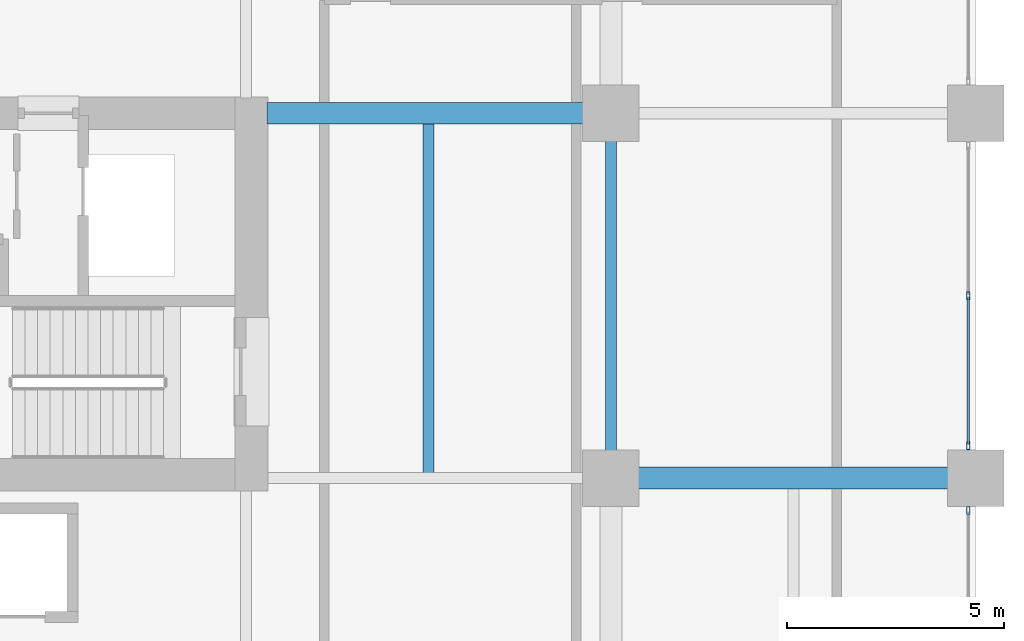
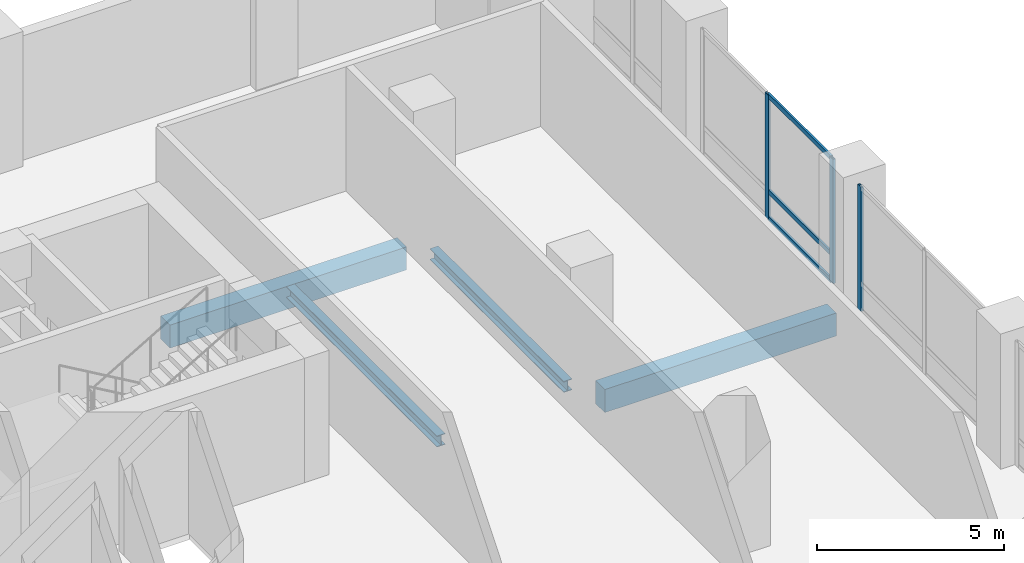
# One storey, part 5 of 24: 6 members, 4 beams, 2 elements without a shape of their own.
"""IFC4 building model written with IfcOpenShell, lengths in metres."""

from ifc_helpers import new_model, si_unit, direction, frame, origin, origin_2d, place, context, subcontext, project, spatial, rectangle, hollow_rectangle, i_section, extrude, material, layer, layer_set, material_profile, profile_set, type_object, element, aggregate, save


model = new_model("IFC4")

# Units and contexts
model_context = context("Model", 3, precision=1e-05, world=origin(), true_north=direction((0.0, 1.0)))
body_context = subcontext(model_context, "Body", "Model", "MODEL_VIEW")
ifc_project = project(units=[si_unit("LENGTHUNIT", "METRE"), si_unit("AREAUNIT", "SQUARE_METRE"), si_unit("VOLUMEUNIT", "CUBIC_METRE"), si_unit("PLANEANGLEUNIT", "RADIAN"), si_unit("MASSUNIT", "GRAM", prefix="KILO")], contexts=[model_context])

# Site, building, storey
site_placement = place(None, origin())
site = spatial("IfcSite", under=ifc_project, at=site_placement, CompositionType="ELEMENT")
building_placement = place(site_placement, origin())
building = spatial("IfcBuilding", under=site, at=building_placement, Name="Koriwani Terraces Tower", CompositionType="ELEMENT")
storey_placement = place(building_placement, frame((0.0, 0.0, 89.60009765625)))
storey = spatial("IfcBuildingStorey", under=building, at=storey_placement, Name="L21", CompositionType="ELEMENT", Elevation=89.60009765625)

# Beams
ifc_material_1 = material(Name="Concrete C50/60", Category="concrete")
ifc_material_profile_1 = material_profile(ifc_material_1, rectangle(XDim=0.5, YDim=0.75, at=origin_2d()), Name="Concrete C50/60", Category="LoadBearing")
ifc_profile_set_1 = profile_set([ifc_material_profile_1], Name="Concrete C50/60")
beam_type_1 = type_object("IfcBeamType", Name="BEAM_RC_GRID_500X750", PredefinedType="BEAM", material=ifc_profile_set_1)
beam_1_placement = place(storey_placement, frame((67.830078125, 16.800048828125, -0.625), z_axis=(1.0, 0.0, 0.0), x_axis=(0.0, 1.0, 0.0)))
element("IfcBeam", 1, at=beam_1_placement, inside=storey, type_object=beam_type_1, Name="L21 Grid Beam C (67.2-75.6m)", PredefinedType="BEAM", context=body_context, shape_type="SweptSolid", body=[
    extrude(rectangle(XDim=0.5, YDim=0.75, at=origin_2d()), origin(), (0.0, 0.0, 1.0), 7.139892578125),
])
beam_2_placement = place(storey_placement, frame((59.280029296875, 25.199951171875, -0.625), z_axis=(1.0, 0.0, 0.0), x_axis=(0.0, 1.0, 0.0)))
element("IfcBeam", 2, at=beam_2_placement, inside=storey, type_object=beam_type_1, Name="L21 Grid Beam D (58.8-67.2m)", PredefinedType="BEAM", context=body_context, shape_type="SweptSolid", body=[
    extrude(rectangle(XDim=0.5, YDim=0.75, at=origin_2d()), origin(), (0.0, 0.0, 1.0), 7.2900390625),
])

# Curtain wall, members
ifc_material_2 = material(Name="Anodised Bronze Aluminium", Category="aluminium")
ifc_layer = layer(ifc_material_2, 0.179931640625, Name="Anodised Bronze Aluminium")
ifc_layer_set = layer_set([ifc_layer], Name="Anodised Bronze Aluminium")
curtain_wall_type = type_object("IfcCurtainWallType", Name="CW_HOTEL_ZONE2", PredefinedType="NOTDEFINED", material=ifc_layer_set)
curtain_wall_1_placement = place(storey_placement, origin())
curtain_wall_1 = element("IfcCurtainWall", 3, at=curtain_wall_1_placement, inside=storey, type_object=curtain_wall_type, Name="L21 Unitised Curtain Wall (E_TIP) Bay 2", PredefinedType="NOTDEFINED")
ifc_material_profile_2 = material_profile(ifc_material_2, hollow_rectangle(XDim=0.074951171875, YDim=0.179931640625, WallThickness=0.006103515625, at=origin_2d()), Name="Anodised Bronze Aluminium", Category="LoadBearing")
ifc_profile_set_2 = profile_set([ifc_material_profile_2], Name="Anodised Bronze Aluminium")
member_type_1 = type_object("IfcMemberType", Name="CW_MULLION_180X75", PredefinedType="MULLION", material=ifc_profile_set_2)
member_1_placement = place(storey_placement, frame((75.425048828125, 21.0, 0.0), z_axis=(0.0, 0.0, 1.0), x_axis=(1.0, 0.0, 0.0)))
member_1 = element("IfcMember", 4, at=member_1_placement, type_object=member_type_1, Name="CW-Z2 mullion 2", PredefinedType="MULLION", context=body_context, shape_type="SweptSolid", body=[
    extrude(hollow_rectangle(XDim=0.074951171875, YDim=0.179931640625, WallThickness=0.006103515625, at=origin_2d()), origin(), (0.0, 0.0, 1.0), 4.0498046875),
])
member_2_placement = place(storey_placement, frame((75.425048828125, 17.547607421875, 0.0), z_axis=(0.0, 0.0, 1.0), x_axis=(1.0, 0.0, 0.0)))
member_2 = element("IfcMember", 5, at=member_2_placement, type_object=member_type_1, Name="CW-Z2 mullion 3", PredefinedType="MULLION", context=body_context, shape_type="SweptSolid", body=[
    extrude(hollow_rectangle(XDim=0.074951171875, YDim=0.179931640625, WallThickness=0.006103515625, at=origin_2d()), origin(), (0.0, 0.0, 1.0), 4.0498046875),
])

# Curtain wall, member
curtain_wall_2_placement = place(storey_placement, origin())
curtain_wall_2 = element("IfcCurtainWall", 6, at=curtain_wall_2_placement, inside=storey, type_object=curtain_wall_type, Name="L21 Unitised Curtain Wall (E_TIP) Bay 3", PredefinedType="NOTDEFINED")
member_3_placement = place(storey_placement, frame((75.425048828125, 16.052490234375, 0.0), z_axis=(0.0, 0.0, 1.0), x_axis=(1.0, 0.0, 0.0)))
member_3 = element("IfcMember", 7, at=member_3_placement, type_object=member_type_1, Name="CW-Z2 mullion 1", PredefinedType="MULLION", context=body_context, shape_type="SweptSolid", body=[
    extrude(hollow_rectangle(XDim=0.074951171875, YDim=0.179931640625, WallThickness=0.006103515625, at=origin_2d()), origin(), (0.0, 0.0, 1.0), 4.0498046875),
])
aggregate(curtain_wall_2, [member_3])

# Member
ifc_material_profile_3 = material_profile(ifc_material_2, hollow_rectangle(XDim=0.06494140625, YDim=0.14990234375, WallThickness=0.0048828125, at=origin_2d()), Name="Anodised Bronze Aluminium", Category="LoadBearing")
ifc_profile_set_3 = profile_set([ifc_material_profile_3], Name="Anodised Bronze Aluminium")
member_type_2 = type_object("IfcMemberType", Name="CW_TRANSOM_150X65", PredefinedType="USERDEFINED", material=ifc_profile_set_3)
member_4_placement = place(storey_placement, frame((75.425048828125, 20.96240234375, 0.032470703125), z_axis=(0.0, -1.0, 0.0), x_axis=(1.0, 0.0, 0.0)))
member_4 = element("IfcMember", 8, at=member_4_placement, type_object=member_type_2, Name="CW-Z2 transom 2.1", ObjectType="TRANSOM", PredefinedType="USERDEFINED", context=body_context, shape_type="SweptSolid", body=[
    extrude(hollow_rectangle(XDim=0.06494140625, YDim=0.14990234375, WallThickness=0.0048828125, at=origin_2d()), origin(), (0.0, 0.0, 1.0), 3.37744140625),
])

member_5_placement = place(storey_placement, frame((75.425048828125, 20.96240234375, 0.89990234375), z_axis=(0.0, -1.0, 0.0), x_axis=(1.0, 0.0, 0.0)))
member_5 = element("IfcMember", 9, at=member_5_placement, type_object=member_type_2, Name="CW-Z2 transom 2.2", ObjectType="TRANSOM", PredefinedType="USERDEFINED", context=body_context, shape_type="SweptSolid", body=[
    extrude(hollow_rectangle(XDim=0.06494140625, YDim=0.14990234375, WallThickness=0.0048828125, at=origin_2d()), origin(), (0.0, 0.0, 1.0), 3.37744140625),
])

member_6_placement = place(storey_placement, frame((75.425048828125, 20.96240234375, 4.017333984375), z_axis=(0.0, -1.0, 0.0), x_axis=(1.0, 0.0, 0.0)))
member_6 = element("IfcMember", 10, at=member_6_placement, type_object=member_type_2, Name="CW-Z2 transom 2.3", ObjectType="TRANSOM", PredefinedType="USERDEFINED", context=body_context, shape_type="SweptSolid", body=[
    extrude(hollow_rectangle(XDim=0.06494140625, YDim=0.14990234375, WallThickness=0.0048828125, at=origin_2d()), origin(), (0.0, 0.0, 1.0), 3.37744140625),
])

aggregate(curtain_wall_1, [member_1, member_2, member_4, member_5, member_6])

# Beams
ifc_material_3 = material(Name="Steel ASTM A572 Grade 50", Category="steel")
ifc_material_profile_4 = material_profile(ifc_material_3, i_section(OverallWidth=0.257080078125, OverallDepth=0.363037109375, WebThickness=0.012939453125, FlangeThickness=0.021728515625, at=origin_2d()), Name="Steel ASTM A572 Grade 50", Category="LoadBearing")
ifc_profile_set_4 = profile_set([ifc_material_profile_4], Name="Steel ASTM A572 Grade 50")
beam_type_2 = type_object("IfcBeamType", Name="STEEL_BEAM_W360X122", PredefinedType="JOIST", material=ifc_profile_set_4)
beam_3_placement = place(storey_placement, frame((67.199951171875, 17.429931640625, -0.431640625), z_axis=(0.0, 1.0, 0.0), x_axis=(-1.0, 0.0, 0.0)))
element("IfcBeam", 11, at=beam_3_placement, inside=storey, type_object=beam_type_2, Name="L21 Grid Beam 9 (16.8-25.2m)", PredefinedType="JOIST", context=body_context, shape_type="SweptSolid", body=[
    extrude(i_section(OverallWidth=0.257080078125, OverallDepth=0.363037109375, WebThickness=0.012939453125, FlangeThickness=0.021728515625, at=origin_2d()), origin(), (0.0, 0.0, 1.0), 7.14013671875),
])
beam_4_placement = place(storey_placement, frame((63.0, 16.91845703125, -0.431640625), z_axis=(0.0, 1.0, 0.0), x_axis=(-1.0, 0.0, 0.0)))
element("IfcBeam", 12, at=beam_4_placement, inside=storey, type_object=beam_type_2, Name="L21 Secondary Steel Floor Joist X=63.0m", PredefinedType="JOIST", context=body_context, shape_type="SweptSolid", body=[
    extrude(i_section(OverallWidth=0.257080078125, OverallDepth=0.363037109375, WebThickness=0.012939453125, FlangeThickness=0.021728515625, at=origin_2d()), origin(), (0.0, 0.0, 1.0), 8.04150390625),
])

save(model, "model.ifc")
